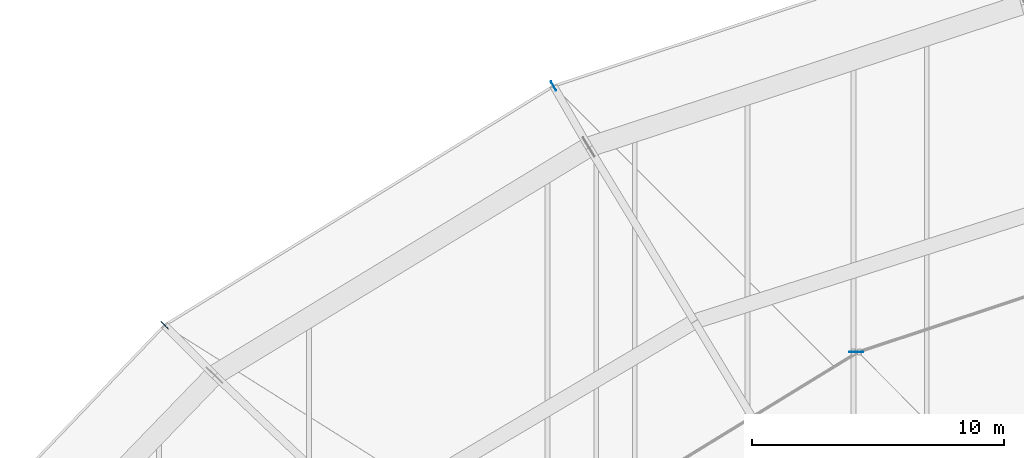
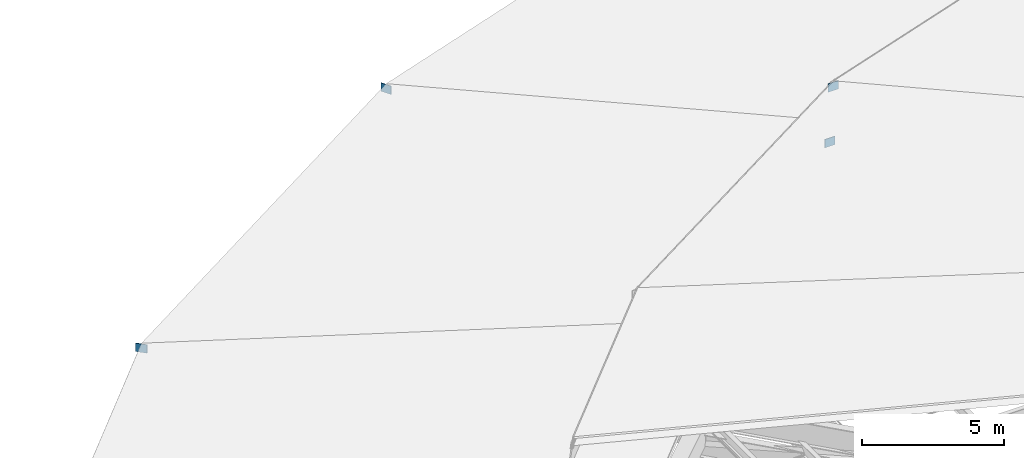
# One storey, part 173 of 184: 4 plates.
"""IFC4 building model written with IfcOpenShell, lengths in metres."""

import ifcopenshell
import ifcopenshell.guid

model = None  # the IFC model being written
_history = None  # IfcOwnerHistory: only IFC2X3 demands one
_inside = {}  # id of a spatial element -> (the spatial element, [elements in it])
_under = {}  # id of a project, library or spatial element -> (it, [spatial elements below it])
_declared = {}  # id of a project -> (the project, [libraries it declares])
_typed = {}  # id of a type object -> (the type object, [elements of that type])
_made_of = {}  # id of a material, layer set ... -> (it, [elements and type objects made of it])


def new_model(schema):
    """Start an empty IFC model of exactly this schema.

    Asked for "IFC4X3", IfcOpenShell would pick the latest addendum, in which some entities
    have other attributes; the version numbers below select the first issue.
    IFC2X3 requires an IfcOwnerHistory on every rooted entity: one is made here for all.
    """
    global model, _history
    if schema == "IFC4X3":
        model = ifcopenshell.file(schema_version=(4, 3, 0, 0))
    else:
        model = ifcopenshell.file(schema=schema)
    _inside.clear()
    _under.clear()
    _declared.clear()
    _typed.clear()
    _made_of.clear()
    _history = None
    if model.schema == "IFC2X3":
        org = make("IfcOrganization", Name="unknown")
        user = make(
            "IfcPersonAndOrganization",
            ThePerson=make("IfcPerson", FamilyName="unknown"),
            TheOrganization=org,
        )
        app = make(
            "IfcApplication",
            ApplicationDeveloper=org,
            Version="unknown",
            ApplicationFullName="unknown",
            ApplicationIdentifier="unknown",
        )
        _history = make(
            "IfcOwnerHistory",
            OwningUser=user,
            OwningApplication=app,
            ChangeAction="ADDED",
            CreationDate=0,
        )
    return model


def make(cls, **values):
    """One entity of the class cls with the attributes given. An attribute that is None is left unset."""
    return model.create_entity(
        cls, **{name: value for name, value in values.items() if value is not None}
    )


def rooted(cls, **values):
    """An entity with a GlobalId (a new one), such as an element, a storey or a relation."""
    return make(cls, GlobalId=ifcopenshell.guid.new(), OwnerHistory=_history, **values)


def si_unit(unit_type, name, prefix=None):
    """IfcSIUnit, for example si_unit("LENGTHUNIT", "METRE", prefix="MILLI")."""
    return make("IfcSIUnit", UnitType=unit_type, Prefix=prefix, Name=name)


def assignment(units):
    """IfcUnitAssignment: the units of a project."""
    return None if units is None else make("IfcUnitAssignment", Units=units)


def point(xyz):
    """IfcCartesianPoint."""
    return None if xyz is None else make("IfcCartesianPoint", Coordinates=xyz)


def direction(xyz):
    """IfcDirection."""
    return None if xyz is None else make("IfcDirection", DirectionRatios=xyz)


def frame(location, z_axis=None, x_axis=None):
    """IfcAxis2Placement3D, a coordinate frame: its origin and axes. An axis left out is left unset."""
    return make(
        "IfcAxis2Placement3D",
        Location=point(location),
        Axis=direction(z_axis),
        RefDirection=direction(x_axis),
    )


def frame_2d(location, x_axis=None):
    """IfcAxis2Placement2D, a coordinate frame in the plane: its origin and x axis."""
    return make(
        "IfcAxis2Placement2D", Location=point(location), RefDirection=direction(x_axis)
    )


def origin():
    """The frame at (0, 0, 0) with its axes left unset."""
    return frame((0.0, 0.0, 0.0))


def origin_2d():
    """The frame at (0, 0) in the plane with its x axis left unset."""
    return frame_2d((0.0, 0.0))


def place(relative_to, where):
    """IfcLocalPlacement: puts the frame where relative to a parent placement (None: the world)."""
    return make(
        "IfcLocalPlacement", PlacementRelTo=relative_to, RelativePlacement=where
    )


def context(
    kind, dimensions, precision=None, world=None, true_north=None, identifier=None
):
    """IfcGeometricRepresentationContext, for example the 3D "Model" context."""
    return make(
        "IfcGeometricRepresentationContext",
        ContextIdentifier=identifier,
        ContextType=kind,
        CoordinateSpaceDimension=dimensions,
        Precision=precision,
        WorldCoordinateSystem=world,
        TrueNorth=true_north,
    )


def subcontext(parent, identifier, kind, view, scale=None):
    """IfcGeometricRepresentationSubContext, for example "Body" below "Model"."""
    return make(
        "IfcGeometricRepresentationSubContext",
        ContextIdentifier=identifier,
        ContextType=kind,
        ParentContext=parent,
        TargetScale=scale,
        TargetView=view,
    )


def project(units=None, contexts=None):
    """IfcProject with its units and contexts."""
    return rooted(
        "IfcProject",
        Name="project",
        RepresentationContexts=contexts,
        UnitsInContext=assignment(units),
    )


def spatial(cls, under=None, at=None, **own):
    """A site, building, storey or space (cls), placed at a placement, below another one or the project."""
    s = rooted(cls, ObjectPlacement=at, **own)
    if under is not None:
        _under.setdefault(under.id(), (under, []))[1].append(s)
    return s


def profile(cls, at=None, kind="AREA", **sizes):
    """A parametric profile (cls). Its sizes go by their IFC names, for example OverallWidth=200.0."""
    return make(cls, ProfileType=kind, Position=at, **sizes)


def rectangle(**sizes):
    """IfcRectangleProfileDef."""
    return profile("IfcRectangleProfileDef", **sizes)


def extrude(swept, where, along, depth):
    """IfcExtrudedAreaSolid: the profile swept, set in the frame where, extruded along a direction by depth."""
    return make(
        "IfcExtrudedAreaSolid",
        SweptArea=swept,
        Position=where,
        ExtrudedDirection=direction(along),
        Depth=depth,
    )


def shape(context_of_items, identifier, shape_type, items):
    """IfcShapeRepresentation: the items that make up one representation, for example the "Body"."""
    return make(
        "IfcShapeRepresentation",
        ContextOfItems=context_of_items,
        RepresentationIdentifier=identifier,
        RepresentationType=shape_type,
        Items=items,
    )


def material(Name=None, Category=None):
    """IfcMaterial."""
    return make("IfcMaterial", Name=Name, Category=Category)


def layer(
    of_material, thickness, ventilated=None, Name=None, Category=None, Priority=None
):
    """IfcMaterialLayer: one layer of a wall or slab, of a material (None: an air gap)."""
    return make(
        "IfcMaterialLayer",
        Material=of_material,
        LayerThickness=thickness,
        IsVentilated=ventilated,
        Name=Name,
        Category=Category,
        Priority=Priority,
    )


def layer_set(layers, Name=None):
    """IfcMaterialLayerSet."""
    return make("IfcMaterialLayerSet", MaterialLayers=layers, LayerSetName=Name)


def made_of(thing, what):
    """Note that an element or type object is made of a material, layer set ...; save() writes the relation."""
    if what is not None:
        _made_of.setdefault(what.id(), (what, []))[1].append(thing)
    return thing


def type_object(cls, material=None, **own):
    """A type object (cls), such as IfcWallType, which elements share."""
    return made_of(rooted(cls, **own), material)


def element(
    cls,
    number,
    at=None,
    inside=None,
    cuts=None,
    type_object=None,
    material=None,
    context=None,
    identifier="Body",
    shape_type=None,
    held_by="IfcProductDefinitionShape",
    body=None,
    shapes=None,
    **own,
):
    """One element of the class cls, such as IfcWall. Its Tag is "e" and its number.

    at: its placement. inside: the storey or other place that contains it. cuts: it is an
    opening in that element (IfcRelVoidsElement). A single representation is given by context,
    identifier, shape_type and body (its items); several are given by shapes. held_by: the class
    of the entity that holds the representations. save() writes the other relations.
    """
    e = rooted(cls, Tag="e%d" % number, ObjectPlacement=at, **own)
    if body is not None:
        shapes = [shape(context, identifier, shape_type, body)]
    if shapes is not None:
        e.Representation = make(held_by, Representations=shapes)
    if inside is not None:
        _inside.setdefault(inside.id(), (inside, []))[1].append(e)
    if cuts is not None:
        rooted(
            "IfcRelVoidsElement", RelatingBuildingElement=cuts, RelatedOpeningElement=e
        )
    if type_object is not None:
        _typed.setdefault(type_object.id(), (type_object, []))[1].append(e)
    return made_of(e, material)


def aggregate(whole, parts):
    """IfcRelAggregates: a whole, such as a stair, and the parts it consists of."""
    return rooted("IfcRelAggregates", RelatingObject=whole, RelatedObjects=parts)


def save(model, path):
    """Write the relations noted so far, then the file.

    IfcRelAggregates (storeys below a building ...), IfcRelContainedInSpatialStructure (elements
    in a storey), IfcRelDefinesByType, IfcRelAssociatesMaterial and IfcRelDeclares: one each for
    every whole, place, type object, material and project.
    """
    for whole, parts in _under.values():
        aggregate(whole, parts)
    for where, things in _inside.values():
        rooted(
            "IfcRelContainedInSpatialStructure",
            RelatedElements=things,
            RelatingStructure=where,
        )
    for kind, things in _typed.values():
        rooted("IfcRelDefinesByType", RelatedObjects=things, RelatingType=kind)
    for what, things in _made_of.values():
        rooted("IfcRelAssociatesMaterial", RelatedObjects=things, RelatingMaterial=what)
    for by, libraries in _declared.values():
        rooted("IfcRelDeclares", RelatingContext=by, RelatedDefinitions=libraries)
    model.write(path)


model = new_model("IFC4")

# Units and contexts
model_context = context("Model", 3, precision=1e-05, world=origin(), true_north=direction((0.0, 1.0)))
body_context = subcontext(model_context, "Body", "Model", "MODEL_VIEW")
ifc_project = project(units=[si_unit("LENGTHUNIT", "METRE"), si_unit("AREAUNIT", "SQUARE_METRE"), si_unit("VOLUMEUNIT", "CUBIC_METRE"), si_unit("PLANEANGLEUNIT", "RADIAN"), si_unit("MASSUNIT", "GRAM", prefix="KILO")], contexts=[model_context])

# Site, building, storey
site_placement = place(None, origin())
site = spatial("IfcSite", under=ifc_project, at=site_placement, CompositionType="ELEMENT")
building_placement = place(site_placement, origin())
building = spatial("IfcBuilding", under=site, at=building_placement, Name="Kalgoora Escarpment Arena", CompositionType="ELEMENT")
storey_placement = place(building_placement, frame((0.0, 0.0, 27.60009765625)))
storey = spatial("IfcBuildingStorey", under=building, at=storey_placement, Name="Roof Level", CompositionType="ELEMENT", Elevation=27.60009765625)

# Plates
ifc_material = material(Name="Structural steel Grade 350 (350 MPa)", Category="steel")
ifc_layer = layer(ifc_material, 0.02490234375)
ifc_layer_set = layer_set([ifc_layer], Name="PLT-GUSSET-25")
plate_type = type_object("IfcPlateType", Name="PLT-GUSSET-25", PredefinedType="USERDEFINED", material=ifc_layer_set)
for number, where, z_axis, x_axis, name in (
    (1, (55.10009765625, 115.788330078125, -1.18017578125), (0.0, 0.0, 1.0), (-0.5, 0.866025403784, 0.0), "Brace and post end gusset plate 163"),
    (2, (39.64990234375, 106.284912109375, -1.18017578125), (0.0, 0.0, 1.0), (-0.707106781187, 0.707106781187, 0.0), "Brace and post end gusset plate 164"),
    (3, (67.06005859375, 105.222900390625, -1.26025390625), (0.0, 0.0, 1.0), (1.0, 0.0, 0.0), "Brace and post end gusset plate 195"),
    (4, (67.199951171875, 105.222900390625, 1.0849609375), (0.0, 0.0, 1.0), (1.0, 0.0, 0.0), "Brace and post end gusset plate 196"),
):
    element("IfcPlate", number, at=place(storey_placement, frame(where, z_axis=z_axis, x_axis=x_axis)), inside=storey, type_object=plate_type, Name=name, ObjectType="FLANGE PLATE", PredefinedType="USERDEFINED", context=body_context, shape_type="SweptSolid", body=[
        extrude(rectangle(XDim=0.419921875, YDim=0.02490234375, at=origin_2d()), origin(), (0.0, 0.0, 1.0), 0.360107421875),
    ])

save(model, "model.ifc")
